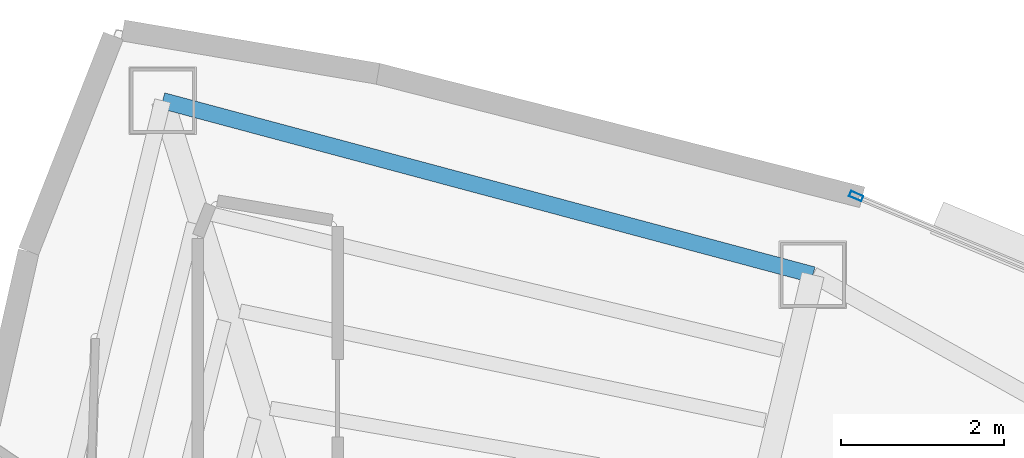
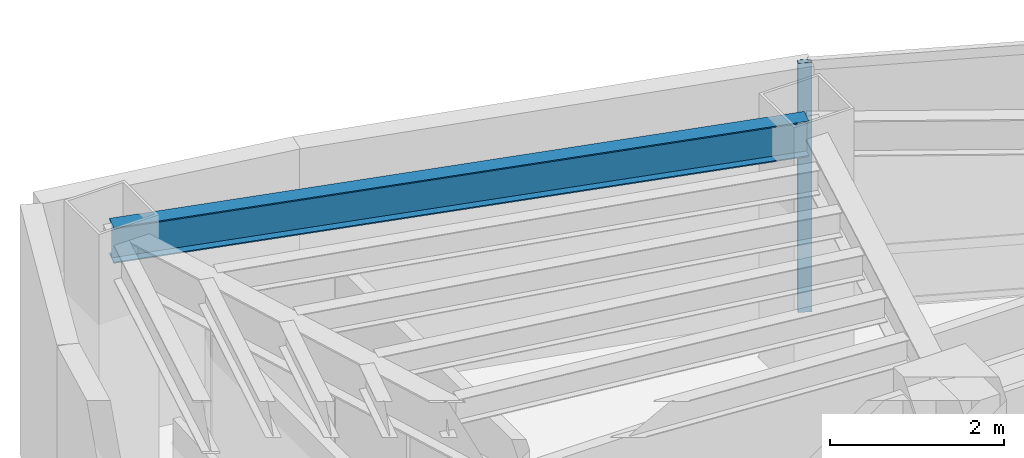
# One storey, part 9 of 16: 1 beam, 1 member, 1 element without a shape of its own.
"""IFC4 building model written with IfcOpenShell, lengths in metres."""

from ifc_helpers import new_model, si_unit, direction, frame, origin, origin_2d, place, context, subcontext, project, spatial, hollow_rectangle, i_section, extrude, material, layer, layer_set, material_profile, profile_set, type_object, element, aggregate, save


model = new_model("IFC4")

# Units and contexts
model_context = context("Model", 3, precision=1e-05, world=origin(), true_north=direction((0.0, 1.0)))
body_context = subcontext(model_context, "Body", "Model", "MODEL_VIEW")
ifc_project = project(units=[si_unit("LENGTHUNIT", "METRE"), si_unit("AREAUNIT", "SQUARE_METRE"), si_unit("VOLUMEUNIT", "CUBIC_METRE"), si_unit("PLANEANGLEUNIT", "RADIAN"), si_unit("MASSUNIT", "GRAM", prefix="KILO")], contexts=[model_context])

# Site, building, storey
site_placement = place(None, origin())
site = spatial("IfcSite", under=ifc_project, at=site_placement, CompositionType="ELEMENT")
building_placement = place(site_placement, origin())
building = spatial("IfcBuilding", under=site, at=building_placement, Name="Menara Vayukalpa", CompositionType="ELEMENT")
storey_placement = place(building_placement, frame((0.0, 0.0, 273.179931640625)))
storey = spatial("IfcBuildingStorey", under=building, at=storey_placement, Name="L69", CompositionType="ELEMENT", Elevation=273.179931640625)

# Beam
ifc_material_1 = material(Name="Steel S355", Category="steel")
ifc_material_profile_1 = material_profile(ifc_material_1, i_section(OverallWidth=0.199951171875, OverallDepth=0.5, WebThickness=0.010009765625, FlangeThickness=0.01611328125, at=origin_2d()), Name="WF 500x200x10x16")
ifc_profile_set_1 = profile_set([ifc_material_profile_1], Name="Steel S355")
beam_type = type_object("IfcBeamType", Name="BM-SP3", PredefinedType="SPANDREL", material=ifc_profile_set_1)
beam_placement = place(storey_placement, frame((23.3818359375, 32.40478515625, 3.25), z_axis=(-0.965978332552, 0.258623009494, 0.0), x_axis=(-0.258623009494, -0.965978332552, 0.0)))
element("IfcBeam", 1, at=beam_placement, inside=storey, type_object=beam_type, Name="L69 Perimeter Spandrel Beam SP03", PredefinedType="SPANDREL", context=body_context, shape_type="SweptSolid", body=[
    extrude(i_section(OverallWidth=0.199951171875, OverallDepth=0.5, WebThickness=0.010009765625, FlangeThickness=0.01611328125, at=origin_2d()), origin(), (0.0, 0.0, 1.0), 8.274169921875),
])

# Curtain wall, member
ifc_material_2 = material(Name="Anodised Terracotta Aluminium Alloy 6063-T6", Category="masonry")
ifc_layer = layer(ifc_material_2, 0.1650390625)
ifc_layer_set = layer_set([ifc_layer], Name="Anodised Terracotta Aluminium Alloy 6063-T6")
curtain_wall_type = type_object("IfcCurtainWallType", Name="CW-CW6", PredefinedType="USERDEFINED", material=ifc_layer_set)
curtain_wall_placement = place(storey_placement, origin())
curtain_wall = element("IfcCurtainWall", 2, at=curtain_wall_placement, inside=storey, type_object=curtain_wall_type, Name="L69 Observation and Executive Curtain Wall CW6 05", ObjectType="UNITISED", PredefinedType="USERDEFINED")
ifc_material_3 = material(Name="Anodised Terracotta Aluminium Alloy 6063-T6", Category="masonry")
ifc_material_profile_2 = material_profile(ifc_material_3, hollow_rectangle(XDim=0.070068359375, YDim=0.1650390625, WallThickness=0.00390625, at=origin_2d()), Name="ALU 70x165x4")
ifc_profile_set_2 = profile_set([ifc_material_profile_2], Name="Anodised Terracotta Aluminium Alloy 6063-T6")
member_type = type_object("IfcMemberType", Name="CWM-CW6", PredefinedType="MULLION", material=ifc_profile_set_2)
member_placement = place(storey_placement, frame((23.913330078125, 33.37158203125, 0.0), z_axis=(0.0, 0.0, 1.0), x_axis=(-0.385899911703, -0.922540653927, 0.0)))
member = element("IfcMember", 3, at=member_placement, type_object=member_type, Name="CW6 mullion 3", PredefinedType="MULLION", context=body_context, shape_type="SweptSolid", body=[
    extrude(hollow_rectangle(XDim=0.070068359375, YDim=0.1650390625, WallThickness=0.00390625, at=origin_2d()), origin(), (0.0, 0.0, 1.0), 3.5),
])
aggregate(curtain_wall, [member])

save(model, "model.ifc")
